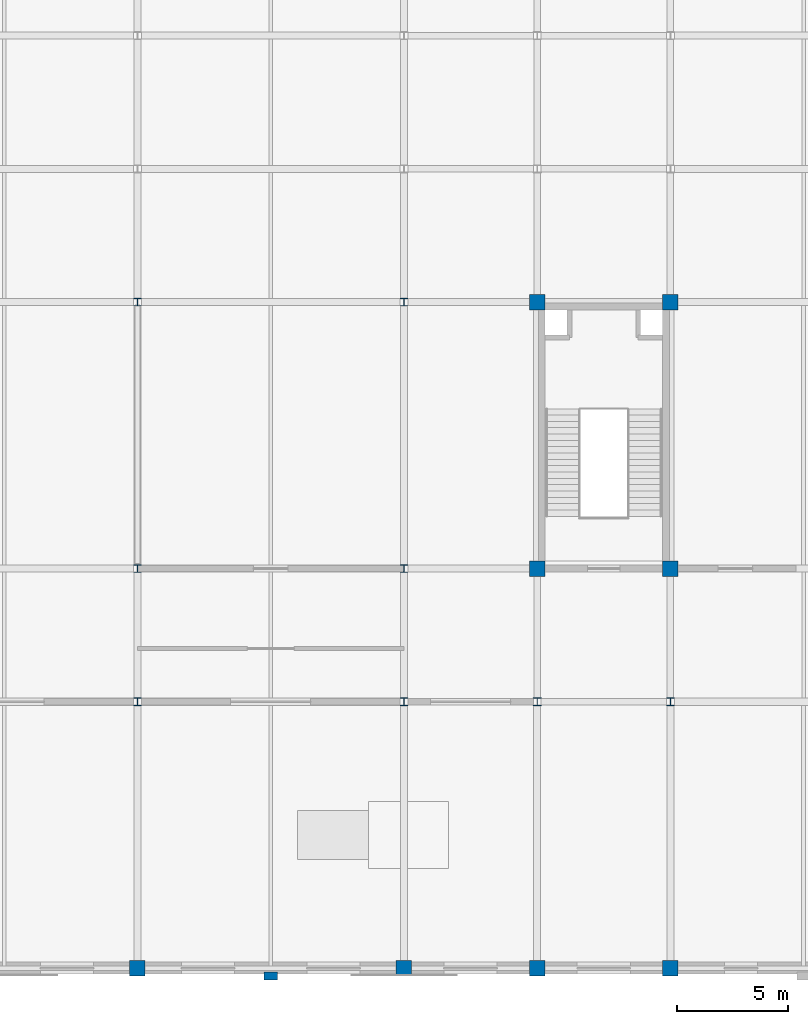
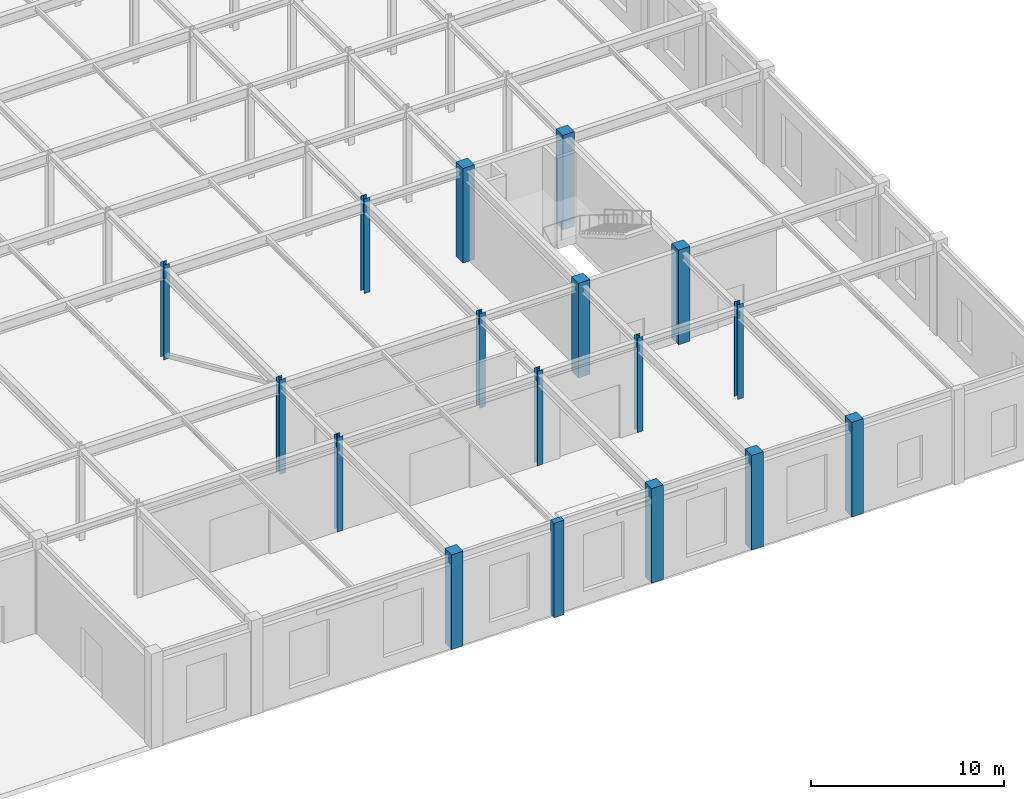
# One storey, part 21 of 51: 17 columns.
"""IFC4 building model written with IfcOpenShell, lengths in metres."""

from ifc_helpers import new_model, si_unit, direction, frame, origin, origin_2d, place, context, subcontext, project, spatial, rectangle, i_section, extrude, material, material_profile, profile_set, type_object, element, save


model = new_model("IFC4")

# Units and contexts
model_context = context("Model", 3, precision=1e-05, world=origin(), true_north=direction((0.0, 1.0)))
body_context = subcontext(model_context, "Body", "Model", "MODEL_VIEW")
ifc_project = project(units=[si_unit("LENGTHUNIT", "METRE"), si_unit("AREAUNIT", "SQUARE_METRE"), si_unit("VOLUMEUNIT", "CUBIC_METRE"), si_unit("PLANEANGLEUNIT", "RADIAN"), si_unit("MASSUNIT", "GRAM", prefix="KILO")], contexts=[model_context])

# Site, building, storey
site_placement = place(None, origin())
site = spatial("IfcSite", under=ifc_project, at=site_placement, CompositionType="ELEMENT")
building_placement = place(site_placement, origin())
building = spatial("IfcBuilding", under=site, at=building_placement, Name="Zlatovratsky Civic Hall", CompositionType="ELEMENT")
storey_placement = place(building_placement, origin())
storey = spatial("IfcBuildingStorey", under=building, at=storey_placement, Name="L01", CompositionType="ELEMENT", Elevation=0.0)

# Columns
ifc_material_1 = material(Name="Concrete C35/45 (B40)", Category="concrete")
ifc_material_profile_1 = material_profile(ifc_material_1, rectangle(XDim=0.699951171875, YDim=0.699951171875, at=origin_2d()), Name="RC 700x700")
ifc_profile_set_1 = profile_set([ifc_material_profile_1], Name="Concrete C35/45 (B40)")
column_type_1 = type_object("IfcColumnType", Name="Col_CorePier_RC700", PredefinedType="COLUMN", material=ifc_profile_set_1)
for number, where, z_axis, x_axis, name in (
    (1, (132.0, 0.0, 0.0), (0.0, 0.0, 1.0), (1.0, 0.0, 0.0), "CL-0426"),
    (2, (144.0, 0.0, 0.0), (0.0, 0.0, 1.0), (1.0, 0.0, 0.0), "CL-0427"),
    (3, (150.0, 0.0, 0.0), (0.0, 0.0, 1.0), (1.0, 0.0, 0.0), "CL-0428"),
    (4, (156.0, 0.0, 0.0), (0.0, 0.0, 1.0), (1.0, 0.0, 0.0), "CL-0429"),
    (5, (150.0, 18.0, 0.0), (0.0, 0.0, 1.0), (1.0, 0.0, 0.0), "CL-0474"),
    (6, (156.0, 18.0, 0.0), (0.0, 0.0, 1.0), (1.0, 0.0, 0.0), "CL-0475"),
    (7, (150.0, 30.0, 0.0), (0.0, 0.0, 1.0), (1.0, 0.0, 0.0), "CL-0497"),
    (8, (156.0, 30.0, 0.0), (0.0, 0.0, 1.0), (1.0, 0.0, 0.0), "CL-0498"),
):
    element("IfcColumn", number, at=place(storey_placement, frame(where, z_axis=z_axis, x_axis=x_axis)), inside=storey, type_object=column_type_1, Name=name, PredefinedType="COLUMN", context=body_context, shape_type="SweptSolid", body=[
        extrude(rectangle(XDim=0.699951171875, YDim=0.699951171875, at=origin_2d()), origin(), (0.0, 0.0, 1.0), 6.0),
    ])
ifc_material_2 = material(Name="Steel S355", Category="steel")
ifc_material_profile_2 = material_profile(ifc_material_2, i_section(OverallWidth=0.35009765625, OverallDepth=0.343017578125, WebThickness=0.010009765625, FlangeThickness=0.014892578125, FilletRadius=0.02001953125, at=origin_2d()), Name="35K1")
ifc_profile_set_2 = profile_set([ifc_material_profile_2], Name="Steel S355")
column_type_2 = type_object("IfcColumnType", Name="Col_Steel_35K1", PredefinedType="COLUMN", material=ifc_profile_set_2)
for number, where, z_axis, x_axis, name in (
    (9, (132.0, 12.0, 0.0), (0.0, 0.0, 1.0), (1.0, 0.0, 0.0), "CL-0449"),
    (10, (144.0, 12.0, 0.0), (0.0, 0.0, 1.0), (1.0, 0.0, 0.0), "CL-0450"),
    (11, (150.0, 12.0, 0.0), (0.0, 0.0, 1.0), (1.0, 0.0, 0.0), "CL-0451"),
    (12, (156.0, 12.0, 0.0), (0.0, 0.0, 1.0), (1.0, 0.0, 0.0), "CL-0452"),
    (13, (132.0, 18.0, 0.0), (0.0, 0.0, 1.0), (1.0, 0.0, 0.0), "CL-0472"),
    (14, (144.0, 18.0, 0.0), (0.0, 0.0, 1.0), (1.0, 0.0, 0.0), "CL-0473"),
    (15, (132.0, 30.0, 0.0), (0.0, 0.0, 1.0), (1.0, 0.0, 0.0), "CL-0495"),
    (16, (144.0, 30.0, 0.0), (0.0, 0.0, 1.0), (1.0, 0.0, 0.0), "CL-0496"),
):
    element("IfcColumn", number, at=place(storey_placement, frame(where, z_axis=z_axis, x_axis=x_axis)), inside=storey, type_object=column_type_2, Name=name, PredefinedType="COLUMN", context=body_context, shape_type="SweptSolid", body=[
        extrude(i_section(OverallWidth=0.35009765625, OverallDepth=0.343017578125, WebThickness=0.010009765625, FlangeThickness=0.014892578125, FilletRadius=0.02001953125, at=origin_2d()), origin(), (0.0, 0.0, 1.0), 6.0),
    ])
ifc_material_profile_3 = material_profile(ifc_material_1, rectangle(XDim=0.60009765625, YDim=0.360107421875, at=origin_2d()), Name="RC 600x360")
ifc_profile_set_3 = profile_set([ifc_material_profile_3], Name="Concrete C35/45 (B40)")
column_type_3 = type_object("IfcColumnType", Name="Pilaster_Classical_RC600x360", PredefinedType="PILASTER", material=ifc_profile_set_3)
column_placement = place(storey_placement, frame((138.0, -0.35009765625, 0.0), z_axis=(0.0, 0.0, 1.0), x_axis=(1.0, 0.0, 0.0)))
element("IfcColumn", 17, at=column_placement, inside=storey, type_object=column_type_3, Name="CL-2725", PredefinedType="PILASTER", context=body_context, shape_type="SweptSolid", body=[
    extrude(rectangle(XDim=0.60009765625, YDim=0.360107421875, at=origin_2d()), origin(), (0.0, 0.0, 1.0), 6.0),
])

save(model, "model.ifc")
